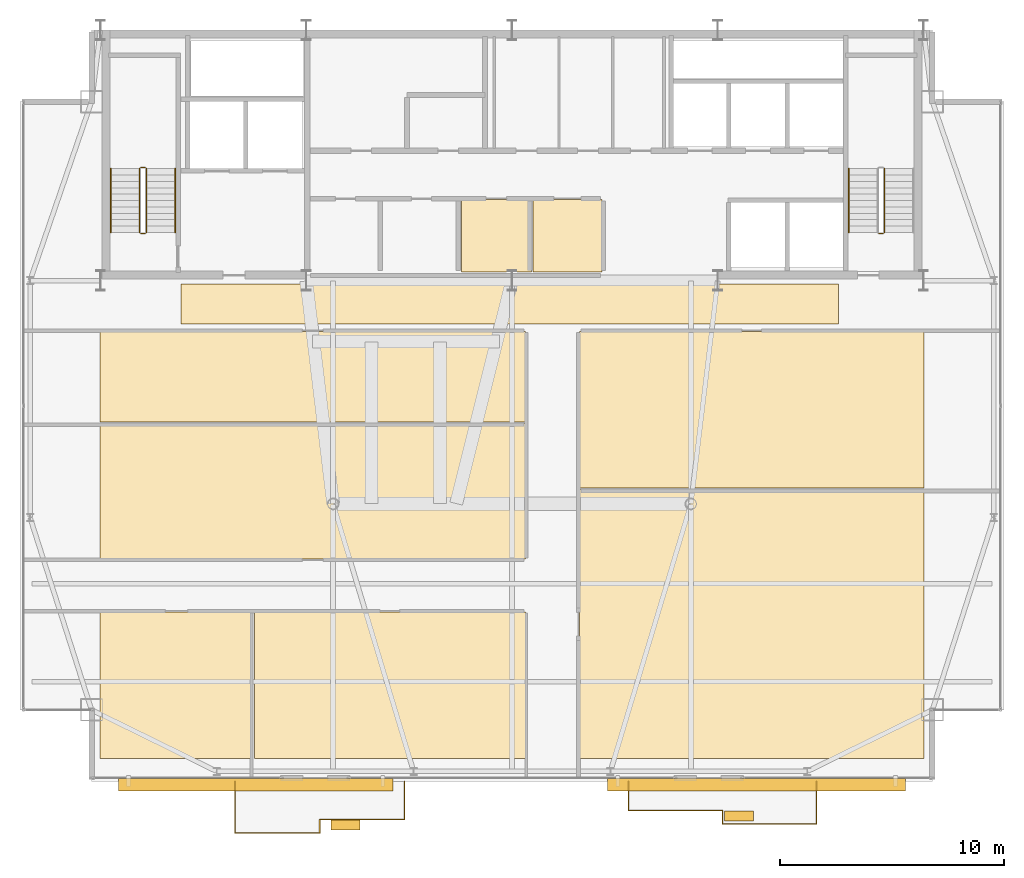
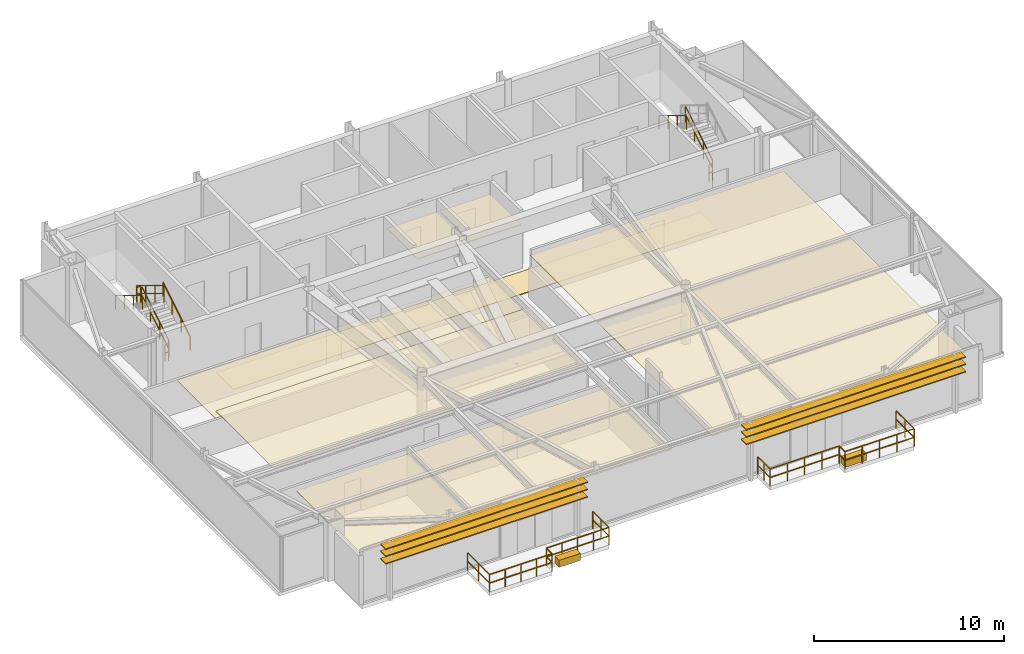
# One storey, part 20 of 21: 19 railings, 11 coverings, 6 shading devices.
"""IFC4 building model written with IfcOpenShell, lengths in metres."""

from ifc_helpers import new_model, si_unit, direction, frame, origin, origin_2d, place, context, subcontext, project, spatial, polyline, rectangle, outline, extrude, source, transform, mapped, material, layer, layer_set, type_object, type_shapes, element, save


model = new_model("IFC4")

# Units and contexts
model_context = context("Model", 3, precision=1e-05, world=origin(), true_north=direction((0.0, 1.0)))
body_context = subcontext(model_context, "Body", "Model", "MODEL_VIEW")
ifc_project = project(units=[si_unit("LENGTHUNIT", "METRE"), si_unit("AREAUNIT", "SQUARE_METRE"), si_unit("VOLUMEUNIT", "CUBIC_METRE"), si_unit("PLANEANGLEUNIT", "RADIAN"), si_unit("MASSUNIT", "GRAM", prefix="KILO")], contexts=[model_context])

# Site, building, storey
site_placement = place(None, origin())
site = spatial("IfcSite", under=ifc_project, at=site_placement, CompositionType="ELEMENT")
building_placement = place(site_placement, origin())
building = spatial("IfcBuilding", under=site, at=building_placement, Name="Varnel Quay Broadcast Tower", CompositionType="ELEMENT")
storey_placement = place(building_placement, frame((0.0, 0.0, 296.39990234375)))
storey = spatial("IfcBuildingStorey", under=building, at=storey_placement, Name="L74", CompositionType="ELEMENT", Elevation=296.39990234375)

# Coverings
ifc_material_1 = material(Name="Micro-Perforated Acoustic Ceiling Tile")
ifc_layer_1 = layer(ifc_material_1, 0.0400390625, Name="Micro-Perforated Acoustic Ceiling Tile")
ifc_layer_set_1 = layer_set([ifc_layer_1], Name="Micro-Perforated Acoustic Ceiling Tile")
covering_type_1 = type_object("IfcCoveringType", Name="Cov_AcousticCeiling", PredefinedType="CEILING", material=ifc_layer_set_1)
covering_1_placement = place(storey_placement, frame((0.0, 0.0, 2.580078125)))
element("IfcCovering", 1, at=covering_1_placement, inside=storey, type_object=covering_type_1, Name="L74 Broadcast First-Aid & Quiet Room Acoustic Ceiling", PredefinedType="CEILING", context=body_context, shape_type="SweptSolid", body=[
    extrude(outline(polyline([(31.735107421875, 35.985107421875), (34.864990234375, 35.985107421875), (34.864990234375, 39.215087890625), (31.735107421875, 39.215087890625), (31.735107421875, 35.985107421875)])), origin(), (0.0, 0.0, 1.0), 0.0400390625),
])
covering_2_placement = place(storey_placement, frame((0.0, 0.0, 2.580078125)))
element("IfcCovering", 2, at=covering_2_placement, inside=storey, type_object=covering_type_1, Name="L74 Zone Lighting Dimmer Room Acoustic Ceiling", PredefinedType="CEILING", context=body_context, shape_type="SweptSolid", body=[
    extrude(outline(polyline([(34.93505859375, 35.985107421875), (38.014892578125, 35.985107421875), (38.014892578125, 39.215087890625), (34.93505859375, 39.215087890625), (34.93505859375, 35.985107421875)])), origin(), (0.0, 0.0, 1.0), 0.0400390625),
])
covering_3_placement = place(storey_placement, frame((0.0, 0.0, 2.580078125)))
element("IfcCovering", 3, at=covering_3_placement, inside=storey, type_object=covering_type_1, Name="L74 Press Green Lounge 1 Acoustic Ceiling", PredefinedType="CEILING", context=body_context, shape_type="SweptSolid", body=[
    extrude(outline(polyline([(15.5849609375, 14.22509765625), (22.4150390625, 14.22509765625), (22.4150390625, 20.77490234375), (15.5849609375, 20.77490234375), (15.5849609375, 14.22509765625)])), origin(), (0.0, 0.0, 1.0), 0.0400390625),
])
covering_4_placement = place(storey_placement, frame((0.0, 0.0, 2.580078125)))
element("IfcCovering", 4, at=covering_4_placement, inside=storey, type_object=covering_type_1, Name="L74 Camera Locker Store 2 Acoustic Ceiling", PredefinedType="CEILING", context=body_context, shape_type="SweptSolid", body=[
    extrude(outline(polyline([(22.485107421875, 14.22509765625), (34.594970703125, 14.22509765625), (34.594970703125, 20.77490234375), (22.485107421875, 20.77490234375), (22.485107421875, 14.22509765625)])), origin(), (0.0, 0.0, 1.0), 0.0400390625),
])
covering_5_placement = place(storey_placement, frame((0.0, 0.0, 2.580078125)))
element("IfcCovering", 5, at=covering_5_placement, inside=storey, type_object=covering_type_1, Name="L74 Broadcast Newsroom 3 Acoustic Ceiling", PredefinedType="CEILING", context=body_context, shape_type="SweptSolid", body=[
    extrude(outline(polyline([(15.5849609375, 23.14501953125), (34.594970703125, 23.14501953125), (34.594970703125, 29.215087890625), (15.5849609375, 29.215087890625), (15.5849609375, 23.14501953125)])), origin(), (0.0, 0.0, 1.0), 0.0400390625),
])
covering_6_placement = place(storey_placement, frame((0.0, 0.0, 2.065185546875)))
element("IfcCovering", 6, at=covering_6_placement, inside=storey, type_object=covering_type_1, Name="L74 Assignment Desk 4 Acoustic Ceiling", PredefinedType="CEILING", context=body_context, shape_type="SweptSolid", body=[
    extrude(outline(polyline([(15.5849609375, 29.284912109375), (34.594970703125, 29.284912109375), (34.594970703125, 33.31494140625), (15.5849609375, 33.31494140625), (15.5849609375, 29.284912109375)])), origin(), (0.0, 0.0, 1.0), 0.039794921875),
])
covering_7_placement = place(storey_placement, frame((0.0, 0.0, 2.580078125)))
element("IfcCovering", 7, at=covering_7_placement, inside=storey, type_object=covering_type_1, Name="L74 Editorial Boardroom 5 Acoustic Ceiling", PredefinedType="CEILING", context=body_context, shape_type="SweptSolid", body=[
    extrude(outline(polyline([(37.014892578125, 14.22509765625), (52.4150390625, 14.22509765625), (52.4150390625, 26.2451171875), (37.014892578125, 26.2451171875), (37.014892578125, 14.22509765625)])), origin(), (0.0, 0.0, 1.0), 0.0400390625),
])
covering_8_placement = place(storey_placement, frame((0.0, 0.0, 2.580078125)))
element("IfcCovering", 8, at=covering_8_placement, inside=storey, type_object=covering_type_1, Name="L74 Break Kitchen 6 Acoustic Ceiling", PredefinedType="CEILING", context=body_context, shape_type="SweptSolid", body=[
    extrude(outline(polyline([(37.014892578125, 26.31494140625), (52.4150390625, 26.31494140625), (52.4150390625, 33.31494140625), (37.014892578125, 33.31494140625), (37.014892578125, 26.31494140625)])), origin(), (0.0, 0.0, 1.0), 0.0400390625),
])
ifc_material_2 = material(Name="Polished Terrazzo & Broadcast Raised Flooring")
ifc_layer_2 = layer(ifc_material_2, 0.0400390625, Name="Polished Terrazzo & Broadcast Raised Flooring")
ifc_layer_set_2 = layer_set([ifc_layer_2], Name="Polished Terrazzo & Broadcast Raised Flooring")
covering_type_2 = type_object("IfcCoveringType", Name="Cov_TerrazzoFloor", PredefinedType="FLOORING", material=ifc_layer_set_2)
covering_9_placement = place(storey_placement, origin())
element("IfcCovering", 9, at=covering_9_placement, inside=storey, type_object=covering_type_2, Name="L74 Corridor Terrazzo Flooring", PredefinedType="FLOORING", context=body_context, shape_type="SweptSolid", body=[
    extrude(outline(polyline([(19.199951171875, 33.64990234375), (48.60009765625, 33.64990234375), (48.60009765625, 35.449951171875), (19.199951171875, 35.449951171875), (19.199951171875, 33.64990234375)])), origin(), (0.0, 0.0, 1.0), 0.0400390625),
])

# Railings
ifc_material_3 = material(Name="Anodised Bronze Aluminium 6063-T6", Category="aluminium")
railing_type_1 = type_object("IfcRailingType", Name="Rail_Balustrade1150", PredefinedType="BALUSTRADE", material=ifc_material_3)
railing_1_placement = place(storey_placement, frame((21.610107421875, 10.89501953125, 0.0)))
element("IfcRailing", 10, at=railing_1_placement, inside=storey, type_object=railing_type_1, Name="L74 Terrace 1 Guard 1", PredefinedType="BALUSTRADE", context=body_context, shape_type="SweptSolid", body=[
    extrude(rectangle(XDim=0.048095703125, YDim=0.048095703125, at=origin_2d()), frame((0.0, 0.0, 1.1259765625), z_axis=(1.0, 0.0, 0.0), x_axis=(0.0, 1.0, 0.0)), (0.0, 0.0, 1.0), 3.794921875),
    extrude(rectangle(XDim=0.048095703125, YDim=0.048095703125, at=origin_2d()), frame((0.0, 0.0, 0.574951171875), z_axis=(1.0, 0.0, 0.0), x_axis=(0.0, 1.0, 0.0)), (0.0, 0.0, 1.0), 3.794921875),
    extrude(rectangle(XDim=0.0419921875, YDim=0.0419921875, at=origin_2d()), origin(), (0.0, 0.0, 1.0), 1.101806640625),
    extrude(rectangle(XDim=0.0419921875, YDim=0.0419921875, at=origin_2d()), frame((0.94873046875, 0.0, 0.0)), (0.0, 0.0, 1.0), 1.101806640625),
    extrude(rectangle(XDim=0.0419921875, YDim=0.0419921875, at=origin_2d()), frame((1.8974609375, 0.0, 0.0)), (0.0, 0.0, 1.0), 1.101806640625),
    extrude(rectangle(XDim=0.0419921875, YDim=0.0419921875, at=origin_2d()), frame((2.84619140625, 0.0, 0.0)), (0.0, 0.0, 1.0), 1.101806640625),
    extrude(rectangle(XDim=0.0419921875, YDim=0.0419921875, at=origin_2d()), frame((3.794921875, 0.0, 0.0)), (0.0, 0.0, 1.0), 1.101806640625),
])
railing_2_placement = place(storey_placement, frame((25.405029296875, 10.89501953125, 0.0)))
element("IfcRailing", 11, at=railing_2_placement, inside=storey, type_object=railing_type_1, Name="L74 Terrace 1 Guard 2", PredefinedType="BALUSTRADE", context=body_context, shape_type="SweptSolid", body=[
    extrude(rectangle(XDim=0.048095703125, YDim=0.048095703125, at=origin_2d()), frame((0.0, 0.0, 1.1259765625), z_axis=(0.0, 1.0, 0.0), x_axis=(-1.0, 0.0, 0.0)), (0.0, 0.0, 1.0), 0.60009765625),
    extrude(rectangle(XDim=0.048095703125, YDim=0.048095703125, at=origin_2d()), frame((0.0, 0.0, 0.574951171875), z_axis=(0.0, 1.0, 0.0), x_axis=(-1.0, 0.0, 0.0)), (0.0, 0.0, 1.0), 0.60009765625),
    extrude(rectangle(XDim=0.0419921875, YDim=0.0419921875, at=origin_2d()), origin(), (0.0, 0.0, 1.0), 1.101806640625),
    extrude(rectangle(XDim=0.0419921875, YDim=0.0419921875, at=origin_2d()), frame((0.0, 0.60009765625, 0.0)), (0.0, 0.0, 1.0), 1.101806640625),
])
railing_3_placement = place(storey_placement, frame((25.405029296875, 11.4951171875, 0.0)))
element("IfcRailing", 12, at=railing_3_placement, inside=storey, type_object=railing_type_1, Name="L74 Terrace 1 Guard 3", PredefinedType="BALUSTRADE", context=body_context, shape_type="SweptSolid", body=[
    extrude(rectangle(XDim=0.048095703125, YDim=0.048095703125, at=origin_2d()), frame((0.0, 0.0, 1.1259765625), z_axis=(1.0, 0.0, 0.0), x_axis=(0.0, 1.0, 0.0)), (0.0, 0.0, 1.0), 3.794921875),
    extrude(rectangle(XDim=0.048095703125, YDim=0.048095703125, at=origin_2d()), frame((0.0, 0.0, 0.574951171875), z_axis=(1.0, 0.0, 0.0), x_axis=(0.0, 1.0, 0.0)), (0.0, 0.0, 1.0), 3.794921875),
    extrude(rectangle(XDim=0.0419921875, YDim=0.0419921875, at=origin_2d()), origin(), (0.0, 0.0, 1.0), 1.101806640625),
    extrude(rectangle(XDim=0.0419921875, YDim=0.0419921875, at=origin_2d()), frame((0.94873046875, 0.0, 0.0)), (0.0, 0.0, 1.0), 1.101806640625),
    extrude(rectangle(XDim=0.0419921875, YDim=0.0419921875, at=origin_2d()), frame((1.8974609375, 0.0, 0.0)), (0.0, 0.0, 1.0), 1.101806640625),
    extrude(rectangle(XDim=0.0419921875, YDim=0.0419921875, at=origin_2d()), frame((2.84619140625, 0.0, 0.0)), (0.0, 0.0, 1.0), 1.101806640625),
    extrude(rectangle(XDim=0.0419921875, YDim=0.0419921875, at=origin_2d()), frame((3.794921875, 0.0, 0.0)), (0.0, 0.0, 1.0), 1.101806640625),
])
railing_4_placement = place(storey_placement, frame((29.199951171875, 11.4951171875, 0.0)))
element("IfcRailing", 13, at=railing_4_placement, inside=storey, type_object=railing_type_1, Name="L74 Terrace 1 Guard 4", PredefinedType="BALUSTRADE", context=body_context, shape_type="SweptSolid", body=[
    extrude(rectangle(XDim=0.048095703125, YDim=0.048095703125, at=origin_2d()), frame((0.0, 0.0, 1.1259765625), z_axis=(0.0, 1.0, 0.0), x_axis=(-1.0, 0.0, 0.0)), (0.0, 0.0, 1.0), 1.704833984375),
    extrude(rectangle(XDim=0.048095703125, YDim=0.048095703125, at=origin_2d()), frame((0.0, 0.0, 0.574951171875), z_axis=(0.0, 1.0, 0.0), x_axis=(-1.0, 0.0, 0.0)), (0.0, 0.0, 1.0), 1.704833984375),
    extrude(rectangle(XDim=0.0419921875, YDim=0.0419921875, at=origin_2d()), origin(), (0.0, 0.0, 1.0), 1.101806640625),
    extrude(rectangle(XDim=0.0419921875, YDim=0.0419921875, at=origin_2d()), frame((0.0, 0.8525390625, 0.0)), (0.0, 0.0, 1.0), 1.101806640625),
    extrude(rectangle(XDim=0.0419921875, YDim=0.0419921875, at=origin_2d()), frame((0.0, 1.704833984375, 0.0)), (0.0, 0.0, 1.0), 1.101806640625),
])
railing_5_placement = place(storey_placement, frame((21.610107421875, 13.199951171875, 0.0)))
element("IfcRailing", 14, at=railing_5_placement, inside=storey, type_object=railing_type_1, Name="L74 Terrace 1 Guard 6", PredefinedType="BALUSTRADE", context=body_context, shape_type="SweptSolid", body=[
    extrude(rectangle(XDim=0.048095703125, YDim=0.048095703125, at=origin_2d()), frame((0.0, 0.0, 1.1259765625), z_axis=(0.0, -1.0, 0.0), x_axis=(1.0, 0.0, 0.0)), (0.0, 0.0, 1.0), 2.304931640625),
    extrude(rectangle(XDim=0.048095703125, YDim=0.048095703125, at=origin_2d()), frame((0.0, 0.0, 0.574951171875), z_axis=(0.0, -1.0, 0.0), x_axis=(1.0, 0.0, 0.0)), (0.0, 0.0, 1.0), 2.304931640625),
    extrude(rectangle(XDim=0.0419921875, YDim=0.0419921875, at=origin_2d()), origin(), (0.0, 0.0, 1.0), 1.101806640625),
    extrude(rectangle(XDim=0.0419921875, YDim=0.0419921875, at=origin_2d()), frame((0.0, -1.15234375, 0.0)), (0.0, 0.0, 1.0), 1.101806640625),
    extrude(rectangle(XDim=0.0419921875, YDim=0.0419921875, at=origin_2d()), frame((0.0, -2.304931640625, 0.0)), (0.0, 0.0, 1.0), 1.101806640625),
])
railing_6_placement = place(storey_placement, frame((39.2099609375, 11.905029296875, 0.0)))
element("IfcRailing", 15, at=railing_6_placement, inside=storey, type_object=railing_type_1, Name="L74 Terrace 2 Guard 1", PredefinedType="BALUSTRADE", context=body_context, shape_type="SweptSolid", body=[
    extrude(rectangle(XDim=0.048095703125, YDim=0.048095703125, at=origin_2d()), frame((0.0, 0.0, 1.1259765625), z_axis=(1.0, 0.0, 0.0), x_axis=(0.0, 1.0, 0.0)), (0.0, 0.0, 1.0), 4.199951171875),
    extrude(rectangle(XDim=0.048095703125, YDim=0.048095703125, at=origin_2d()), frame((0.0, 0.0, 0.574951171875), z_axis=(1.0, 0.0, 0.0), x_axis=(0.0, 1.0, 0.0)), (0.0, 0.0, 1.0), 4.199951171875),
    extrude(rectangle(XDim=0.0419921875, YDim=0.0419921875, at=origin_2d()), origin(), (0.0, 0.0, 1.0), 1.101806640625),
    extrude(rectangle(XDim=0.0419921875, YDim=0.0419921875, at=origin_2d()), frame((1.050048828125, 0.0, 0.0)), (0.0, 0.0, 1.0), 1.101806640625),
    extrude(rectangle(XDim=0.0419921875, YDim=0.0419921875, at=origin_2d()), frame((2.10009765625, 0.0, 0.0)), (0.0, 0.0, 1.0), 1.101806640625),
    extrude(rectangle(XDim=0.0419921875, YDim=0.0419921875, at=origin_2d()), frame((3.14990234375, 0.0, 0.0)), (0.0, 0.0, 1.0), 1.101806640625),
    extrude(rectangle(XDim=0.0419921875, YDim=0.0419921875, at=origin_2d()), frame((4.199951171875, 0.0, 0.0)), (0.0, 0.0, 1.0), 1.101806640625),
])
railing_7_placement = place(storey_placement, frame((43.409912109375, 11.905029296875, 0.0)))
element("IfcRailing", 16, at=railing_7_placement, inside=storey, type_object=railing_type_1, Name="L74 Terrace 2 Guard 2", PredefinedType="BALUSTRADE", context=body_context, shape_type="SweptSolid", body=[
    extrude(rectangle(XDim=0.048095703125, YDim=0.048095703125, at=origin_2d()), frame((0.0, 0.0, 1.1259765625), z_axis=(0.0, -1.0, 0.0), x_axis=(1.0, 0.0, 0.0)), (0.0, 0.0, 1.0), 0.60009765625),
    extrude(rectangle(XDim=0.048095703125, YDim=0.048095703125, at=origin_2d()), frame((0.0, 0.0, 0.574951171875), z_axis=(0.0, -1.0, 0.0), x_axis=(1.0, 0.0, 0.0)), (0.0, 0.0, 1.0), 0.60009765625),
    extrude(rectangle(XDim=0.0419921875, YDim=0.0419921875, at=origin_2d()), origin(), (0.0, 0.0, 1.0), 1.101806640625),
    extrude(rectangle(XDim=0.0419921875, YDim=0.0419921875, at=origin_2d()), frame((0.0, -0.60009765625, 0.0)), (0.0, 0.0, 1.0), 1.101806640625),
])
railing_8_placement = place(storey_placement, frame((43.409912109375, 11.304931640625, 0.0)))
element("IfcRailing", 17, at=railing_8_placement, inside=storey, type_object=railing_type_1, Name="L74 Terrace 2 Guard 3", PredefinedType="BALUSTRADE", context=body_context, shape_type="SweptSolid", body=[
    extrude(rectangle(XDim=0.048095703125, YDim=0.048095703125, at=origin_2d()), frame((0.0, 0.0, 1.1259765625), z_axis=(1.0, 0.0, 0.0), x_axis=(0.0, 1.0, 0.0)), (0.0, 0.0, 1.0), 4.2001953125),
    extrude(rectangle(XDim=0.048095703125, YDim=0.048095703125, at=origin_2d()), frame((0.0, 0.0, 0.574951171875), z_axis=(1.0, 0.0, 0.0), x_axis=(0.0, 1.0, 0.0)), (0.0, 0.0, 1.0), 4.2001953125),
    extrude(rectangle(XDim=0.0419921875, YDim=0.0419921875, at=origin_2d()), origin(), (0.0, 0.0, 1.0), 1.101806640625),
    extrude(rectangle(XDim=0.0419921875, YDim=0.0419921875, at=origin_2d()), frame((1.050048828125, 0.0, 0.0)), (0.0, 0.0, 1.0), 1.101806640625),
    extrude(rectangle(XDim=0.0419921875, YDim=0.0419921875, at=origin_2d()), frame((2.10009765625, 0.0, 0.0)), (0.0, 0.0, 1.0), 1.101806640625),
    extrude(rectangle(XDim=0.0419921875, YDim=0.0419921875, at=origin_2d()), frame((3.150146484375, 0.0, 0.0)), (0.0, 0.0, 1.0), 1.101806640625),
    extrude(rectangle(XDim=0.0419921875, YDim=0.0419921875, at=origin_2d()), frame((4.2001953125, 0.0, 0.0)), (0.0, 0.0, 1.0), 1.101806640625),
])
railing_9_placement = place(storey_placement, frame((47.610107421875, 11.304931640625, 0.0)))
element("IfcRailing", 18, at=railing_9_placement, inside=storey, type_object=railing_type_1, Name="L74 Terrace 2 Guard 4", PredefinedType="BALUSTRADE", context=body_context, shape_type="SweptSolid", body=[
    extrude(rectangle(XDim=0.048095703125, YDim=0.048095703125, at=origin_2d()), frame((0.0, 0.0, 1.1259765625), z_axis=(0.0, 1.0, 0.0), x_axis=(-1.0, 0.0, 0.0)), (0.0, 0.0, 1.0), 1.89501953125),
    extrude(rectangle(XDim=0.048095703125, YDim=0.048095703125, at=origin_2d()), frame((0.0, 0.0, 0.574951171875), z_axis=(0.0, 1.0, 0.0), x_axis=(-1.0, 0.0, 0.0)), (0.0, 0.0, 1.0), 1.89501953125),
    extrude(rectangle(XDim=0.0419921875, YDim=0.0419921875, at=origin_2d()), origin(), (0.0, 0.0, 1.0), 1.101806640625),
    extrude(rectangle(XDim=0.0419921875, YDim=0.0419921875, at=origin_2d()), frame((0.0, 0.947509765625, 0.0)), (0.0, 0.0, 1.0), 1.101806640625),
    extrude(rectangle(XDim=0.0419921875, YDim=0.0419921875, at=origin_2d()), frame((0.0, 1.89501953125, 0.0)), (0.0, 0.0, 1.0), 1.101806640625),
])
railing_10_placement = place(storey_placement, frame((39.2099609375, 13.199951171875, 0.0)))
element("IfcRailing", 19, at=railing_10_placement, inside=storey, type_object=railing_type_1, Name="L74 Terrace 2 Guard 6", PredefinedType="BALUSTRADE", context=body_context, shape_type="SweptSolid", body=[
    extrude(rectangle(XDim=0.048095703125, YDim=0.048095703125, at=origin_2d()), frame((0.0, 0.0, 1.1259765625), z_axis=(0.0, -1.0, 0.0), x_axis=(1.0, 0.0, 0.0)), (0.0, 0.0, 1.0), 1.294921875),
    extrude(rectangle(XDim=0.048095703125, YDim=0.048095703125, at=origin_2d()), frame((0.0, 0.0, 0.574951171875), z_axis=(0.0, -1.0, 0.0), x_axis=(1.0, 0.0, 0.0)), (0.0, 0.0, 1.0), 1.294921875),
    extrude(rectangle(XDim=0.0419921875, YDim=0.0419921875, at=origin_2d()), origin(), (0.0, 0.0, 1.0), 1.101806640625),
    extrude(rectangle(XDim=0.0419921875, YDim=0.0419921875, at=origin_2d()), frame((0.0, -0.6474609375, 0.0)), (0.0, 0.0, 1.0), 1.101806640625),
    extrude(rectangle(XDim=0.0419921875, YDim=0.0419921875, at=origin_2d()), frame((0.0, -1.294921875, 0.0)), (0.0, 0.0, 1.0), 1.101806640625),
])
ifc_material_4 = material(Name="Painted Steel Guard and Handrail CSA G40.21 350W", Category="steel")
railing_type_2 = type_object("IfcRailingType", Name="Rail_StairGuard1100", PredefinedType="GUARDRAIL", material=ifc_material_4)
railing_11_placement = place(storey_placement, frame((17.64990234375, 37.75, 0.1728515625)))
element("IfcRailing", 20, at=railing_11_placement, inside=storey, type_object=railing_type_2, Name="L74 ST-01 stair guard 1", PredefinedType="GUARDRAIL", context=body_context, shape_type="SweptSolid", body=[
    extrude(rectangle(XDim=0.048095703125, YDim=0.048095703125, at=origin_2d()), frame((0.0, 0.0, 1.076171875), z_axis=(0.0, 0.855202751398, 0.518293598264), x_axis=(-1.0, 0.0, 0.0)), (0.0, 0.0, 1.0), 3.332763671875),
    extrude(rectangle(XDim=0.048095703125, YDim=0.048095703125, at=origin_2d()), frame((0.0, 0.0, 0.550048828125), z_axis=(0.0, 0.855202751398, 0.518293598264), x_axis=(-1.0, 0.0, 0.0)), (0.0, 0.0, 1.0), 3.332763671875),
    extrude(rectangle(XDim=0.0419921875, YDim=0.0419921875, at=origin_2d()), origin(), (0.0, 0.0, 1.0), 1.052001953125),
    extrude(rectangle(XDim=0.0419921875, YDim=0.0419921875, at=origin_2d()), frame((0.0, 0.949951171875, 0.57568359375)), (0.0, 0.0, 1.0), 1.052001953125),
    extrude(rectangle(XDim=0.0419921875, YDim=0.0419921875, at=origin_2d()), frame((0.0, 1.900146484375, 1.151611328125)), (0.0, 0.0, 1.0), 1.052001953125),
    extrude(rectangle(XDim=0.0419921875, YDim=0.0419921875, at=origin_2d()), frame((0.0, 2.85009765625, 1.727294921875)), (0.0, 0.0, 1.0), 1.052001953125),
])
railing_12_placement = place(storey_placement, frame((17.60009765625, 40.64990234375, 1.900146484375)))
element("IfcRailing", 21, at=railing_12_placement, inside=storey, type_object=railing_type_2, Name="L74 ST-01 stair guard 2", PredefinedType="GUARDRAIL", context=body_context, shape_type="SweptSolid", body=[
    extrude(rectangle(XDim=0.048095703125, YDim=0.048095703125, at=origin_2d()), frame((0.0, 0.0, 1.076171875), z_axis=(-1.0, 0.0, 0.0), x_axis=(0.0, -1.0, 0.0)), (0.0, 0.0, 1.0), 0.2001953125),
    extrude(rectangle(XDim=0.048095703125, YDim=0.048095703125, at=origin_2d()), frame((0.0, 0.0, 0.550048828125), z_axis=(-1.0, 0.0, 0.0), x_axis=(0.0, -1.0, 0.0)), (0.0, 0.0, 1.0), 0.2001953125),
    extrude(rectangle(XDim=0.0419921875, YDim=0.0419921875, at=origin_2d()), origin(), (0.0, 0.0, 1.0), 1.052001953125),
    extrude(rectangle(XDim=0.0419921875, YDim=0.0419921875, at=origin_2d()), frame((-0.2001953125, 0.0, 0.0)), (0.0, 0.0, 1.0), 1.052001953125),
])
railing_13_placement = place(storey_placement, frame((17.35009765625, 40.60009765625, 2.07275390625)))
element("IfcRailing", 22, at=railing_13_placement, inside=storey, type_object=railing_type_2, Name="L74 ST-01 stair guard 3", PredefinedType="GUARDRAIL", context=body_context, shape_type="SweptSolid", body=[
    extrude(rectangle(XDim=0.048095703125, YDim=0.048095703125, at=origin_2d()), frame((0.0, 0.0, 1.076171875), z_axis=(0.0, -0.855202751398, 0.518293598264), x_axis=(1.0, 0.0, 0.0)), (0.0, 0.0, 1.0), 3.332763671875),
    extrude(rectangle(XDim=0.048095703125, YDim=0.048095703125, at=origin_2d()), frame((0.0, 0.0, 0.550048828125), z_axis=(0.0, -0.855202751398, 0.518293598264), x_axis=(1.0, 0.0, 0.0)), (0.0, 0.0, 1.0), 3.332763671875),
    extrude(rectangle(XDim=0.0419921875, YDim=0.0419921875, at=origin_2d()), origin(), (0.0, 0.0, 1.0), 1.052001953125),
    extrude(rectangle(XDim=0.0419921875, YDim=0.0419921875, at=origin_2d()), frame((0.0, -0.949951171875, 0.57568359375)), (0.0, 0.0, 1.0), 1.052001953125),
    extrude(rectangle(XDim=0.0419921875, YDim=0.0419921875, at=origin_2d()), frame((0.0, -1.900146484375, 1.151611328125)), (0.0, 0.0, 1.0), 1.052001953125),
    extrude(rectangle(XDim=0.0419921875, YDim=0.0419921875, at=origin_2d()), frame((0.0, -2.85009765625, 1.727294921875)), (0.0, 0.0, 1.0), 1.052001953125),
])
railing_14_placement = place(storey_placement, frame((17.60009765625, 37.699951171875, 0.0)))
element("IfcRailing", 23, at=railing_14_placement, inside=storey, type_object=railing_type_2, Name="L74 ST-01 stair guard 4", PredefinedType="GUARDRAIL", context=body_context, shape_type="SweptSolid", body=[
    extrude(rectangle(XDim=0.048095703125, YDim=0.048095703125, at=origin_2d()), frame((0.0, 0.0, 1.076171875), z_axis=(-1.0, 0.0, 0.0), x_axis=(0.0, -1.0, 0.0)), (0.0, 0.0, 1.0), 0.2001953125),
    extrude(rectangle(XDim=0.048095703125, YDim=0.048095703125, at=origin_2d()), frame((0.0, 0.0, 0.550048828125), z_axis=(-1.0, 0.0, 0.0), x_axis=(0.0, -1.0, 0.0)), (0.0, 0.0, 1.0), 0.2001953125),
    extrude(rectangle(XDim=0.0419921875, YDim=0.0419921875, at=origin_2d()), origin(), (0.0, 0.0, 1.0), 1.052001953125),
    extrude(rectangle(XDim=0.0419921875, YDim=0.0419921875, at=origin_2d()), frame((-0.2001953125, 0.0, 0.0)), (0.0, 0.0, 1.0), 1.052001953125),
])
railing_15_placement = place(storey_placement, frame((50.64990234375, 37.75, 0.1728515625)))
element("IfcRailing", 24, at=railing_15_placement, inside=storey, type_object=railing_type_2, Name="L74 ST-02 stair guard 1", PredefinedType="GUARDRAIL", context=body_context, shape_type="SweptSolid", body=[
    extrude(rectangle(XDim=0.048095703125, YDim=0.048095703125, at=origin_2d()), frame((0.0, 0.0, 1.076171875), z_axis=(0.0, 0.855202751398, 0.518293598264), x_axis=(-1.0, 0.0, 0.0)), (0.0, 0.0, 1.0), 3.332763671875),
    extrude(rectangle(XDim=0.048095703125, YDim=0.048095703125, at=origin_2d()), frame((0.0, 0.0, 0.550048828125), z_axis=(0.0, 0.855202751398, 0.518293598264), x_axis=(-1.0, 0.0, 0.0)), (0.0, 0.0, 1.0), 3.332763671875),
    extrude(rectangle(XDim=0.0419921875, YDim=0.0419921875, at=origin_2d()), origin(), (0.0, 0.0, 1.0), 1.052001953125),
    extrude(rectangle(XDim=0.0419921875, YDim=0.0419921875, at=origin_2d()), frame((0.0, 0.949951171875, 0.57568359375)), (0.0, 0.0, 1.0), 1.052001953125),
    extrude(rectangle(XDim=0.0419921875, YDim=0.0419921875, at=origin_2d()), frame((0.0, 1.900146484375, 1.151611328125)), (0.0, 0.0, 1.0), 1.052001953125),
    extrude(rectangle(XDim=0.0419921875, YDim=0.0419921875, at=origin_2d()), frame((0.0, 2.85009765625, 1.727294921875)), (0.0, 0.0, 1.0), 1.052001953125),
])
railing_16_placement = place(storey_placement, frame((50.60009765625, 37.699951171875, 0.0)))
element("IfcRailing", 25, at=railing_16_placement, inside=storey, type_object=railing_type_2, Name="L74 ST-02 stair guard 4", PredefinedType="GUARDRAIL", context=body_context, shape_type="SweptSolid", body=[
    extrude(rectangle(XDim=0.048095703125, YDim=0.048095703125, at=origin_2d()), frame((0.0, 0.0, 1.076171875), z_axis=(-1.0, 0.0, 0.0), x_axis=(0.0, -1.0, 0.0)), (0.0, 0.0, 1.0), 0.2001953125),
    extrude(rectangle(XDim=0.048095703125, YDim=0.048095703125, at=origin_2d()), frame((0.0, 0.0, 0.550048828125), z_axis=(-1.0, 0.0, 0.0), x_axis=(0.0, -1.0, 0.0)), (0.0, 0.0, 1.0), 0.2001953125),
    extrude(rectangle(XDim=0.0419921875, YDim=0.0419921875, at=origin_2d()), origin(), (0.0, 0.0, 1.0), 1.052001953125),
    extrude(rectangle(XDim=0.0419921875, YDim=0.0419921875, at=origin_2d()), frame((-0.2001953125, 0.0, 0.0)), (0.0, 0.0, 1.0), 1.052001953125),
])
railing_type_3 = type_object("IfcRailingType", Name="Rail_StairHandrail900", PredefinedType="HANDRAIL", material=ifc_material_4)
railing_17_placement = place(storey_placement, frame((18.949951171875, 37.75, 0.1728515625)))
element("IfcRailing", 26, at=railing_17_placement, inside=storey, type_object=railing_type_3, Name="L74 ST-01 stair handrail 1", PredefinedType="HANDRAIL", context=body_context, shape_type="SweptSolid", body=[
    extrude(rectangle(XDim=0.048095703125, YDim=0.048095703125, at=origin_2d()), frame((0.0, 0.0, 0.8759765625), z_axis=(0.0, 0.855202751398, 0.518293598264), x_axis=(-1.0, 0.0, 0.0)), (0.0, 0.0, 1.0), 3.332763671875),
    extrude(rectangle(XDim=0.0419921875, YDim=0.0419921875, at=origin_2d()), origin(), (0.0, 0.0, 1.0), 0.851806640625),
    extrude(rectangle(XDim=0.0419921875, YDim=0.0419921875, at=origin_2d()), frame((0.0, 0.949951171875, 0.57568359375)), (0.0, 0.0, 1.0), 0.851806640625),
    extrude(rectangle(XDim=0.0419921875, YDim=0.0419921875, at=origin_2d()), frame((0.0, 1.900146484375, 1.151611328125)), (0.0, 0.0, 1.0), 0.851806640625),
    extrude(rectangle(XDim=0.0419921875, YDim=0.0419921875, at=origin_2d()), frame((0.0, 2.85009765625, 1.727294921875)), (0.0, 0.0, 1.0), 0.851806640625),
])
for number, where, name in (
    (27, (16.050048828125, 40.60009765625, 2.07275390625), "L74 ST-01 stair handrail 2"),
    (28, (49.050048828125, 40.60009765625, 2.07275390625), "L74 ST-02 stair handrail 2"),
):
    element("IfcRailing", number, at=place(storey_placement, frame(where)), inside=storey, type_object=railing_type_3, Name=name, PredefinedType="HANDRAIL", context=body_context, shape_type="SweptSolid", body=[
        extrude(rectangle(XDim=0.048095703125, YDim=0.048095703125, at=origin_2d()), frame((0.0, 0.0, 0.8759765625), z_axis=(0.0, -0.855202751398, 0.518293598264), x_axis=(1.0, 0.0, 0.0)), (0.0, 0.0, 1.0), 3.332763671875),
        extrude(rectangle(XDim=0.0419921875, YDim=0.0419921875, at=origin_2d()), origin(), (0.0, 0.0, 1.0), 0.851806640625),
        extrude(rectangle(XDim=0.0419921875, YDim=0.0419921875, at=origin_2d()), frame((0.0, -0.949951171875, 0.57568359375)), (0.0, 0.0, 1.0), 0.851806640625),
        extrude(rectangle(XDim=0.0419921875, YDim=0.0419921875, at=origin_2d()), frame((0.0, -1.900146484375, 1.151611328125)), (0.0, 0.0, 1.0), 0.851806640625),
        extrude(rectangle(XDim=0.0419921875, YDim=0.0419921875, at=origin_2d()), frame((0.0, -2.85009765625, 1.727294921875)), (0.0, 0.0, 1.0), 0.851806640625),
    ])

# Coverings
ifc_material_5 = material(Name="Bronze-Terracotta Extruded Ceramic Blade", Category="masonry")
ifc_layer_3 = layer(ifc_material_5, 0.449951171875, Name="Bronze-Terracotta Extruded Ceramic Blade")
ifc_layer_set_3 = layer_set([ifc_layer_3], Name="Bronze-Terracotta Extruded Ceramic Blade")
covering_type_3 = type_object("IfcCoveringType", Name="Cov_BronzePlanter", PredefinedType="CLADDING", material=ifc_layer_set_3)
shared_shape_1 = source(origin(), body_context, "Body", "SweptSolid", [
    extrude(rectangle(XDim=1.300048828125, YDim=0.449951171875, at=origin_2d()), origin(), (0.0, 0.0, 1.0), 0.449951171875),
])
type_shapes(covering_type_3, [shared_shape_1])
for number, where, z_axis, x_axis, name in (
    (29, (26.550048828125, 11.2451171875, 0.0), (0.0, 0.0, 1.0), (1.0, 0.0, 0.0), "L74 Terrace 1 Bronze Planter"),
    (30, (44.14990234375, 11.655029296875, 0.0), (0.0, 0.0, 1.0), (1.0, 0.0, 0.0), "L74 Terrace 2 Bronze Planter"),
):
    element("IfcCovering", number, at=place(storey_placement, frame(where, z_axis=z_axis, x_axis=x_axis)), inside=storey, type_object=covering_type_3, Name=name, PredefinedType="CLADDING", context=body_context, shape_type="MappedRepresentation", body=[
        mapped(shared_shape_1, transform((0.0, 0.0, 0.0), x_axis=(1.0, 0.0, 0.0), y_axis=(0.0, 1.0, 0.0), z_axis=(0.0, 0.0, 1.0), scale=1.0)),
    ])

# Shading devices
ifc_layer_4 = layer(ifc_material_5, 0.06494140625, Name="Bronze-Terracotta Extruded Ceramic Blade")
ifc_layer_set_4 = layer_set([ifc_layer_4], Name="Bronze-Terracotta Extruded Ceramic Blade")
shading_device_type = type_object("IfcShadingDeviceType", Name="Shade_LouvreBlade550", PredefinedType="JALOUSIE", material=ifc_layer_set_4)
shared_shape_2 = source(origin(), body_context, "Body", "SweptSolid", [
    extrude(rectangle(XDim=13.3291015625, YDim=0.550048828125, at=origin_2d()), origin(), (0.0, 0.0, 1.0), 0.06494140625),
])
for number, where, z_axis, x_axis, name in (
    (31, (44.93603515625, 13.06005859375, 2.447509765625), (0.0, 0.0, 1.0), (1.0, 0.0, 0.0), "L74 Lobe 2 Horizontal Louvre Blade 1"),
    (32, (44.93603515625, 13.06005859375, 2.927734375), (0.0, 0.0, 1.0), (1.0, 0.0, 0.0), "L74 Lobe 2 Horizontal Louvre Blade 2"),
    (33, (44.93603515625, 13.06005859375, 3.3876953125), (0.0, 0.0, 1.0), (1.0, 0.0, 0.0), "L74 Lobe 2 Horizontal Louvre Blade 3"),
):
    element("IfcShadingDevice", number, at=place(storey_placement, frame(where, z_axis=z_axis, x_axis=x_axis)), inside=storey, type_object=shading_device_type, Name=name, PredefinedType="JALOUSIE", context=body_context, shape_type="MappedRepresentation", body=[
        mapped(shared_shape_2, transform((0.0, 0.0, 0.0), x_axis=(1.0, 0.0, 0.0), y_axis=(0.0, 1.0, 0.0), z_axis=(0.0, 0.0, 1.0), scale=1.0)),
    ])
shared_shape_3 = source(origin(), body_context, "Body", "SweptSolid", [
    extrude(rectangle(XDim=12.27099609375, YDim=0.550048828125, at=origin_2d()), origin(), (0.0, 0.0, 1.0), 0.06494140625),
])
type_shapes(shading_device_type, [shared_shape_2, shared_shape_3])
for number, where, z_axis, x_axis, name in (
    (34, (22.534912109375, 13.06005859375, 2.447509765625), (0.0, 0.0, 1.0), (1.0, 0.0, 0.0), "L74 Lobe 1 Horizontal Louvre Blade 1"),
    (35, (22.534912109375, 13.06005859375, 2.927734375), (0.0, 0.0, 1.0), (1.0, 0.0, 0.0), "L74 Lobe 1 Horizontal Louvre Blade 2"),
    (36, (22.534912109375, 13.06005859375, 3.3876953125), (0.0, 0.0, 1.0), (1.0, 0.0, 0.0), "L74 Lobe 1 Horizontal Louvre Blade 3"),
):
    element("IfcShadingDevice", number, at=place(storey_placement, frame(where, z_axis=z_axis, x_axis=x_axis)), inside=storey, type_object=shading_device_type, Name=name, PredefinedType="JALOUSIE", context=body_context, shape_type="MappedRepresentation", body=[
        mapped(shared_shape_3, transform((0.0, 0.0, 0.0), x_axis=(1.0, 0.0, 0.0), y_axis=(0.0, 1.0, 0.0), z_axis=(0.0, 0.0, 1.0), scale=1.0)),
    ])

save(model, "model.ifc")
